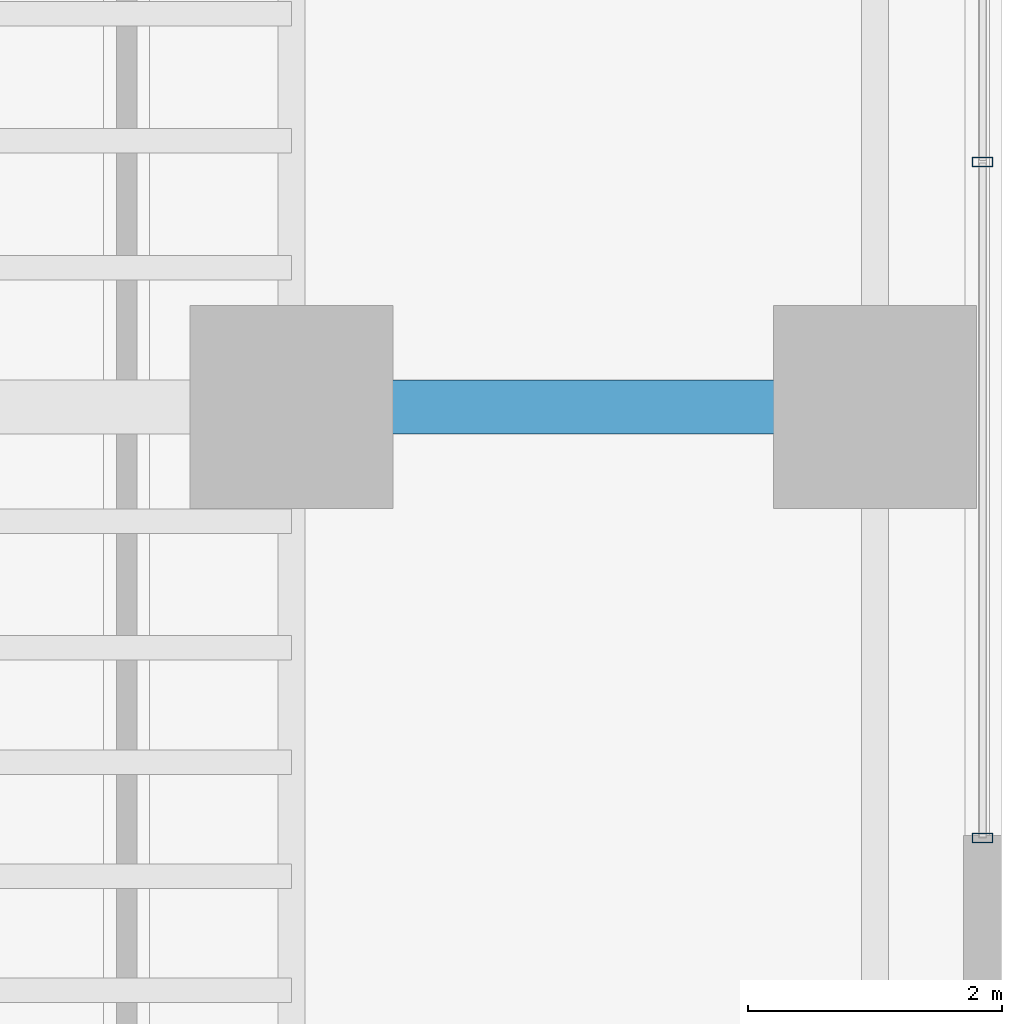
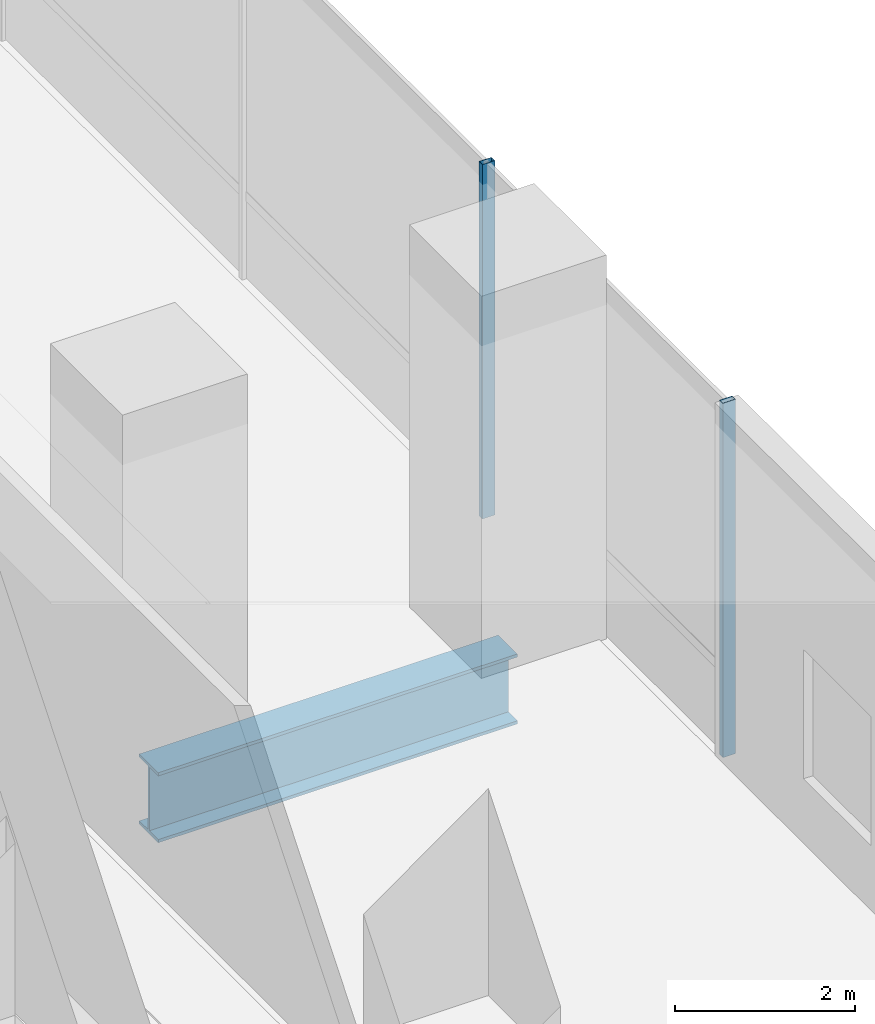
# One storey, part 20 of 39: 2 members, 1 beam, 1 element without a shape of its own.
"""IFC4 building model written with IfcOpenShell, lengths in metres."""

from ifc_helpers import new_model, si_unit, direction, frame, origin, origin_2d, place, context, subcontext, project, spatial, hollow_rectangle, i_section, extrude, source, transform, mapped, material, material_profile, profile_set, type_object, element, aggregate, save


model = new_model("IFC4")

# Units and contexts
model_context = context("Model", 3, precision=1e-05, world=origin(), true_north=direction((0.0, 1.0)))
body_context = subcontext(model_context, "Body", "Model", "MODEL_VIEW")
ifc_project = project(units=[si_unit("LENGTHUNIT", "METRE"), si_unit("AREAUNIT", "SQUARE_METRE"), si_unit("VOLUMEUNIT", "CUBIC_METRE"), si_unit("PLANEANGLEUNIT", "RADIAN"), si_unit("MASSUNIT", "GRAM", prefix="KILO")], contexts=[model_context])

# Site, building, storey
site_placement = place(None, origin())
site = spatial("IfcSite", under=ifc_project, at=site_placement, CompositionType="ELEMENT")
building_placement = place(site_placement, origin())
building = spatial("IfcBuilding", under=site, at=building_placement, Name="Valdorenza Pilgrim Sanctuary Tower", CompositionType="ELEMENT")
storey_placement = place(building_placement, frame((0.0, 0.0, 15.60009765625)))
storey = spatial("IfcBuildingStorey", under=building, at=storey_placement, Name="L03", CompositionType="ELEMENT", Elevation=15.60009765625)

# Beam
ifc_material_1 = material(Name="Steel ASTM A992 Grade 50", Category="steel")
ifc_material_profile_1 = material_profile(ifc_material_1, i_section(OverallWidth=0.423095703125, OverallDepth=0.947998046875, WebThickness=0.02392578125, FlangeThickness=0.042724609375, at=origin_2d()), Name="W36X302")
ifc_profile_set_1 = profile_set([ifc_material_profile_1], Name="Steel ASTM A992 Grade 50")
beam_type = type_object("IfcBeamType", Name="STR-BM-GRD-W36A", PredefinedType="BEAM", material=ifc_profile_set_1)
shared_shape_1 = source(origin(), body_context, "Body", "SweptSolid", [
    extrude(i_section(OverallWidth=0.423095703125, OverallDepth=0.947998046875, WebThickness=0.02392578125, FlangeThickness=0.042724609375, at=origin_2d()), origin(), (0.0, 0.0, 1.0), 4.60009765625),
])
beam_placement = place(storey_placement, frame((28.39990234375, -2.60009765625, -0.754150390625), z_axis=(1.0, 0.0, 0.0), x_axis=(0.0, 1.0, 0.0)))
element("IfcBeam", 1, at=beam_placement, inside=storey, type_object=beam_type, Name="L03 Floor Girder POD-E-M0", PredefinedType="BEAM", context=body_context, shape_type="MappedRepresentation", body=[
    mapped(shared_shape_1, transform((0.0, 0.0, 0.0), x_axis=(1.0, 0.0, 0.0), y_axis=(0.0, 1.0, 0.0), z_axis=(0.0, 0.0, 1.0), scale=1.0)),
])

# Curtain wall, members
ifc_material_2 = material(Name="Curtain-wall IGU glazing", Category="glass")
curtain_wall_type = type_object("IfcCurtainWallType", Name="CW-SYS-01", PredefinedType="NOTDEFINED", material=ifc_material_2)
curtain_wall_placement = place(storey_placement, origin())
curtain_wall = element("IfcCurtainWall", 2, at=curtain_wall_placement, inside=storey, type_object=curtain_wall_type, Name="L03 Curtain Wall CW-POD-L03-EE", PredefinedType="NOTDEFINED")
ifc_material_3 = material(Name="Anodised aluminium AW-6060", Category="aluminium")
ifc_material_profile_2 = material_profile(ifc_material_3, hollow_rectangle(XDim=0.074951171875, YDim=0.159912109375, WallThickness=0.00390625, at=origin_2d()), Name="ALU-M 160x75x4")
ifc_profile_set_2 = profile_set([ifc_material_profile_2], Name="Anodised aluminium AW-6060")
member_type = type_object("IfcMemberType", Name="CW-MUL-01", PredefinedType="MULLION", material=ifc_profile_set_2)
shared_shape_2 = source(origin(), body_context, "Body", "SweptSolid", [
    extrude(hollow_rectangle(XDim=0.074951171875, YDim=0.159912109375, WallThickness=0.00390625, at=origin_2d()), origin(), (0.0, 0.0, 1.0), 4.7998046875),
])
member_1_placement = place(storey_placement, frame((33.85009765625, -6.0, 0.0), z_axis=(0.0, 0.0, 1.0), x_axis=(0.0, 1.0, 0.0)))
member_1 = element("IfcMember", 3, at=member_1_placement, type_object=member_type, Name="CW-POD-L03-EE Mullion 1", PredefinedType="MULLION", context=body_context, shape_type="MappedRepresentation", body=[
    mapped(shared_shape_2, transform((0.0, 0.0, 0.0), x_axis=(1.0, 0.0, 0.0), y_axis=(0.0, 1.0, 0.0), z_axis=(0.0, 0.0, 1.0), scale=1.0)),
])
member_2_placement = place(storey_placement, frame((33.85009765625, -0.666748046875, 0.0), z_axis=(0.0, 0.0, 1.0), x_axis=(0.0, 1.0, 0.0)))
member_2 = element("IfcMember", 4, at=member_2_placement, type_object=member_type, Name="CW-POD-L03-EE Mullion 2", PredefinedType="MULLION", context=body_context, shape_type="MappedRepresentation", body=[
    mapped(shared_shape_2, transform((0.0, 0.0, 0.0), x_axis=(1.0, 0.0, 0.0), y_axis=(0.0, 1.0, 0.0), z_axis=(0.0, 0.0, 1.0), scale=1.0)),
])
aggregate(curtain_wall, [member_1, member_2])

save(model, "model.ifc")
